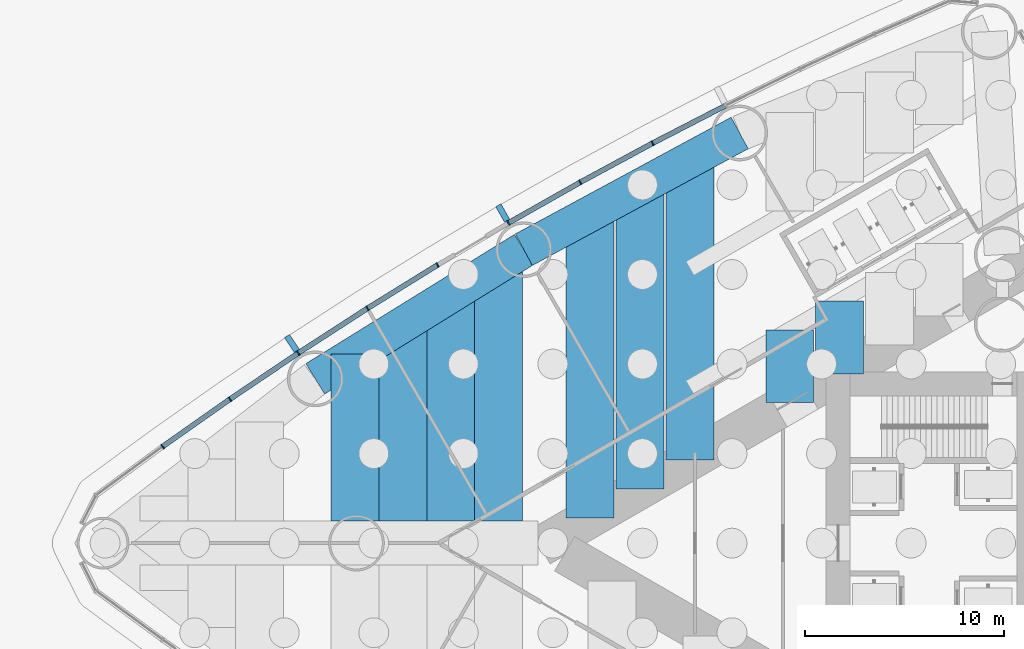
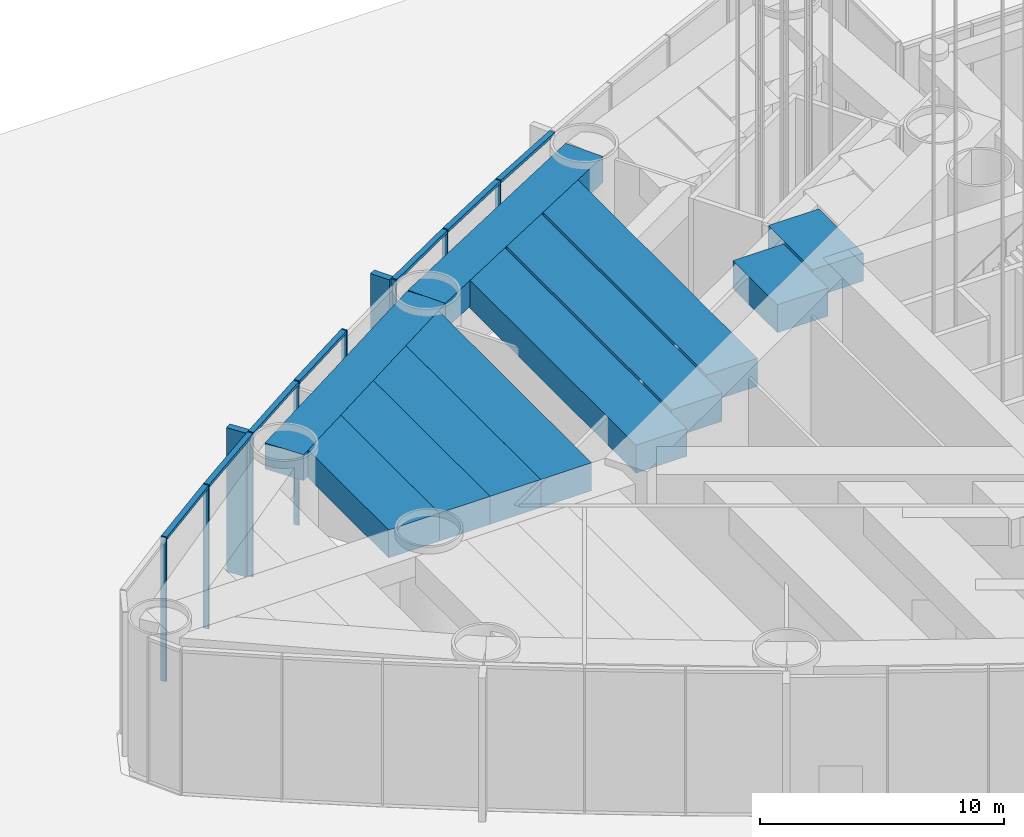
# One storey, part 9 of 43: 17 members, 11 beams, 2 elements without a shape of their own.
"""IFC4 building model written with IfcOpenShell, lengths in metres."""

from ifc_helpers import new_model, si_unit, direction, frame, origin, origin_2d, place, context, subcontext, project, spatial, rectangle, extrude, material, material_profile, profile_set, type_object, element, aggregate, save


model = new_model("IFC4")

# Units and contexts
model_context = context("Model", 3, precision=1e-05, world=origin(), true_north=direction((0.0, 1.0)))
body_context = subcontext(model_context, "Body", "Model", "MODEL_VIEW")
ifc_project = project(units=[si_unit("LENGTHUNIT", "METRE"), si_unit("AREAUNIT", "SQUARE_METRE"), si_unit("VOLUMEUNIT", "CUBIC_METRE"), si_unit("PLANEANGLEUNIT", "RADIAN"), si_unit("MASSUNIT", "GRAM", prefix="KILO")], contexts=[model_context])

# Site, building, storey
site_placement = place(None, origin())
site = spatial("IfcSite", under=ifc_project, at=site_placement, CompositionType="ELEMENT")
building_placement = place(site_placement, origin())
building = spatial("IfcBuilding", under=site, at=building_placement, Name="Lancet Gate Hotel", CompositionType="ELEMENT")
storey_placement = place(building_placement, origin())
storey = spatial("IfcBuildingStorey", under=building, at=storey_placement, Name="L00", CompositionType="ELEMENT", Elevation=0.0)

# Curtain wall, members
ifc_material_1 = material(Name="Aluminium curtain wall", Category="aluminium")
curtain_wall_type = type_object("IfcCurtainWallType", Name="Podium curtain wall", PredefinedType="USERDEFINED", material=ifc_material_1)
curtain_wall_1_placement = place(storey_placement, origin())
curtain_wall_1 = element("IfcCurtainWall", 1, at=curtain_wall_1_placement, inside=storey, type_object=curtain_wall_type, Name="T1 L00 curtain wall 2", ObjectType="UNITISED CURTAIN WALL", PredefinedType="USERDEFINED")
ifc_material_2 = material(Name="Aluminium mullion", Category="aluminium")
ifc_material_profile_1 = material_profile(ifc_material_2, rectangle(XDim=0.06494140625, YDim=0.25, at=origin_2d()), Name="MULLION 65x250")
ifc_profile_set_1 = profile_set([ifc_material_profile_1], Name="Aluminium mullion")
member_type_1 = type_object("IfcMemberType", Name="Aluminium mullion 65x250", PredefinedType="MULLION", material=ifc_profile_set_1)
member_1_placement = place(storey_placement, frame((-46.6220703125, 20.094970703125, 0.0), z_axis=(0.0, 0.0, 1.0), x_axis=(-0.884311132302, -0.466898084475, 0.0)))
member_1 = element("IfcMember", 2, at=member_1_placement, type_object=member_type_1, Name="T1 L00 curtain wall 2 mullion 6", PredefinedType="MULLION", context=body_context, shape_type="SweptSolid", body=[
    extrude(rectangle(XDim=0.06494140625, YDim=0.25, at=origin_2d()), origin(), (0.0, 0.0, 1.0), 7.199951171875),
])
member_2_placement = place(storey_placement, frame((-50.26416015625, 18.1259765625, 0.0), z_axis=(0.0, 0.0, 1.0), x_axis=(-0.874991035403, -0.484139120464, 0.0)))
member_2 = element("IfcMember", 3, at=member_2_placement, type_object=member_type_1, Name="T1 L00 curtain wall 2 mullion 7", PredefinedType="MULLION", context=body_context, shape_type="SweptSolid", body=[
    extrude(rectangle(XDim=0.06494140625, YDim=0.25, at=origin_2d()), origin(), (0.0, 0.0, 1.0), 7.199951171875),
])
member_3_placement = place(storey_placement, frame((-53.866943359375, 16.086181640625, 0.0), z_axis=(0.0, 0.0, 1.0), x_axis=(-0.870204720871, -0.492690312238, 0.0)))
member_3 = element("IfcMember", 4, at=member_3_placement, type_object=member_type_1, Name="T1 L00 curtain wall 2 mullion 8", PredefinedType="MULLION", context=body_context, shape_type="SweptSolid", body=[
    extrude(rectangle(XDim=0.06494140625, YDim=0.25, at=origin_2d()), origin(), (0.0, 0.0, 1.0), 7.199951171875),
])

curtain_wall_2_placement = place(storey_placement, origin())
curtain_wall_2 = element("IfcCurtainWall", 5, at=curtain_wall_2_placement, inside=storey, type_object=curtain_wall_type, Name="T1 L00 curtain wall 3", ObjectType="UNITISED CURTAIN WALL", PredefinedType="USERDEFINED")
member_4_placement = place(storey_placement, frame((-57.42919921875, 13.97607421875, 0.0), z_axis=(0.0, 0.0, 1.0), x_axis=(-0.850228506958, -0.52641379727, 0.0)))
member_4 = element("IfcMember", 6, at=member_4_placement, type_object=member_type_1, Name="T1 L00 curtain wall 3 mullion 1", PredefinedType="MULLION", context=body_context, shape_type="SweptSolid", body=[
    extrude(rectangle(XDim=0.06494140625, YDim=0.25, at=origin_2d()), origin(), (0.0, 0.0, 1.0), 7.199951171875),
])
member_5_placement = place(storey_placement, frame((-60.949462890625, 11.796630859375, 0.0), z_axis=(0.0, 0.0, 1.0), x_axis=(-0.845029112489, -0.534720299827, 0.0)))
member_5 = element("IfcMember", 7, at=member_5_placement, type_object=member_type_1, Name="T1 L00 curtain wall 3 mullion 2", PredefinedType="MULLION", context=body_context, shape_type="SweptSolid", body=[
    extrude(rectangle(XDim=0.06494140625, YDim=0.25, at=origin_2d()), origin(), (0.0, 0.0, 1.0), 7.199951171875),
])
member_6_placement = place(storey_placement, frame((-64.42626953125, 9.548583984375, 0.0), z_axis=(0.0, 0.0, 1.0), x_axis=(-0.834387381945, -0.55117846189, 0.0)))
member_6 = element("IfcMember", 8, at=member_6_placement, type_object=member_type_1, Name="T1 L00 curtain wall 3 mullion 3", PredefinedType="MULLION", context=body_context, shape_type="SweptSolid", body=[
    extrude(rectangle(XDim=0.06494140625, YDim=0.25, at=origin_2d()), origin(), (0.0, 0.0, 1.0), 7.199951171875),
])
member_7_placement = place(storey_placement, frame((-67.858154296875, 7.232666015625, 0.0), z_axis=(0.0, 0.0, 1.0), x_axis=(-0.823425148573, -0.56742490666, 0.0)))
member_7 = element("IfcMember", 9, at=member_7_placement, type_object=member_type_1, Name="T1 L00 curtain wall 3 mullion 4", PredefinedType="MULLION", context=body_context, shape_type="SweptSolid", body=[
    extrude(rectangle(XDim=0.06494140625, YDim=0.25, at=origin_2d()), origin(), (0.0, 0.0, 1.0), 7.199951171875),
])
member_8_placement = place(storey_placement, frame((-71.244384765625, 4.85009765625, 0.0), z_axis=(0.0, 0.0, 1.0), x_axis=(-0.812146623168, -0.583453393578, 0.0)))
member_8 = element("IfcMember", 10, at=member_8_placement, type_object=member_type_1, Name="T1 L00 curtain wall 3 mullion 5", PredefinedType="MULLION", context=body_context, shape_type="SweptSolid", body=[
    extrude(rectangle(XDim=0.06494140625, YDim=0.25, at=origin_2d()), origin(), (0.0, 0.0, 1.0), 7.199951171875),
])

# Member
ifc_material_3 = material(Name="Aluminium transom", Category="aluminium")
ifc_material_profile_2 = material_profile(ifc_material_3, rectangle(XDim=0.25, YDim=0.14990234375, at=origin_2d()), Name="TRANSOM 250x150")
ifc_profile_set_2 = profile_set([ifc_material_profile_2], Name="Aluminium transom")
member_type_2 = type_object("IfcMemberType", Name="Aluminium transom 250x150", PredefinedType="USERDEFINED", material=ifc_profile_set_2)
member_9_placement = place(storey_placement, frame((-42.970703125, 21.97705078125, 7.125), z_axis=(-0.888859972399, -0.458178949175, 0.0), x_axis=(0.458178949175, -0.888859972399, 0.0)))
member_9 = element("IfcMember", 11, at=member_9_placement, type_object=member_type_2, Name="T1 L00 curtain wall 2 transom 5", ObjectType="TRANSOM", PredefinedType="USERDEFINED", context=body_context, shape_type="SweptSolid", body=[
    extrude(rectangle(XDim=0.25, YDim=0.14990234375, at=origin_2d()), origin(), (0.0, 0.0, 1.0), 4.0751953125),
])

member_10_placement = place(storey_placement, frame((-46.650634765625, 20.079345703125, 7.125), z_axis=(-0.87971396408, -0.475503250675, 0.0), x_axis=(0.475503250675, -0.87971396408, 0.0)))
member_10 = element("IfcMember", 12, at=member_10_placement, type_object=member_type_2, Name="T1 L00 curtain wall 2 transom 6", ObjectType="TRANSOM", PredefinedType="USERDEFINED", context=body_context, shape_type="SweptSolid", body=[
    extrude(rectangle(XDim=0.25, YDim=0.14990234375, at=origin_2d()), origin(), (0.0, 0.0, 1.0), 4.0751953125),
])

member_11_placement = place(storey_placement, frame((-50.29248046875, 18.110107421875, 7.125), z_axis=(-0.870197729943, -0.492702659625, 0.0), x_axis=(0.492702659625, -0.870197729943, 0.0)))
member_11 = element("IfcMember", 13, at=member_11_placement, type_object=member_type_2, Name="T1 L00 curtain wall 2 transom 7", ObjectType="TRANSOM", PredefinedType="USERDEFINED", context=body_context, shape_type="SweptSolid", body=[
    extrude(rectangle(XDim=0.25, YDim=0.14990234375, at=origin_2d()), origin(), (0.0, 0.0, 1.0), 4.0751953125),
])

member_12_placement = place(storey_placement, frame((-57.456787109375, 13.958984375, 7.125), z_axis=(-0.850242165643, -0.526391736032, 0.0), x_axis=(0.526391736032, -0.850242165643, 0.0)))
member_12 = element("IfcMember", 14, at=member_12_placement, type_object=member_type_2, Name="T1 L00 curtain wall 3 transom 1", ObjectType="TRANSOM", PredefinedType="USERDEFINED", context=body_context, shape_type="SweptSolid", body=[
    extrude(rectangle(XDim=0.25, YDim=0.14990234375, at=origin_2d()), origin(), (0.0, 0.0, 1.0), 4.075439453125),
])

member_13_placement = place(storey_placement, frame((-60.976806640625, 11.779052734375, 7.125), z_axis=(-0.839729242404, -0.543005340169, 0.0), x_axis=(0.543005340169, -0.839729242404, 0.0)))
member_13 = element("IfcMember", 15, at=member_13_placement, type_object=member_type_2, Name="T1 L00 curtain wall 3 transom 2", ObjectType="TRANSOM", PredefinedType="USERDEFINED", context=body_context, shape_type="SweptSolid", body=[
    extrude(rectangle(XDim=0.25, YDim=0.14990234375, at=origin_2d()), origin(), (0.0, 0.0, 1.0), 4.0751953125),
])

member_14_placement = place(storey_placement, frame((-64.453125, 9.5302734375, 7.125), z_axis=(-0.828959086782, -0.559309245804, 0.0), x_axis=(0.559309245804, -0.828959086782, 0.0)))
member_14 = element("IfcMember", 16, at=member_14_placement, type_object=member_type_2, Name="T1 L00 curtain wall 3 transom 3", ObjectType="TRANSOM", PredefinedType="USERDEFINED", context=body_context, shape_type="SweptSolid", body=[
    extrude(rectangle(XDim=0.25, YDim=0.14990234375, at=origin_2d()), origin(), (0.0, 0.0, 1.0), 4.0751953125),
])

member_15_placement = place(storey_placement, frame((-67.884765625, 7.214111328125, 7.125), z_axis=(-0.817833568345, -0.57545482402, 0.0), x_axis=(0.57545482402, -0.817833568345, 0.0)))
member_15 = element("IfcMember", 17, at=member_15_placement, type_object=member_type_2, Name="T1 L00 curtain wall 3 transom 4", ObjectType="TRANSOM", PredefinedType="USERDEFINED", context=body_context, shape_type="SweptSolid", body=[
    extrude(rectangle(XDim=0.25, YDim=0.14990234375, at=origin_2d()), origin(), (0.0, 0.0, 1.0), 4.075439453125),
])

# Beams
ifc_material_4 = material(Name="Concrete C50/60", Category="concrete")
ifc_material_profile_3 = material_profile(ifc_material_4, rectangle(XDim=1.800048828125, YDim=1.300048828125, at=origin_2d()), Name="RC 1800x1300")
ifc_profile_set_3 = profile_set([ifc_material_profile_3], Name="Concrete C50/60")
beam_type_1 = type_object("IfcBeamType", Name="Edge beam RC 1800x1300", PredefinedType="SPANDREL", material=ifc_profile_set_3)
for number, where, z_axis, x_axis, name in (
    (18, (-42.2451171875, 20.607421875, 6.199951171875), (-0.879692855603, -0.475542300749, 0.0), (0.475542300749, -0.879692855603, 0.0), "T1 edge beam EB1 L00"),
    (19, (-53.090087890625, 14.744873046875, 6.199951171875), (-0.850225894333, -0.526418016984, 0.0), (0.526418016984, -0.850225894333, 0.0), "T1 edge beam EB1 L00"),
):
    element("IfcBeam", number, at=place(storey_placement, frame(where, z_axis=z_axis, x_axis=x_axis)), inside=storey, type_object=beam_type_1, Name=name, PredefinedType="SPANDREL", context=body_context, shape_type="SweptSolid", body=[
        extrude(rectangle(XDim=1.800048828125, YDim=1.300048828125, at=origin_2d()), origin(), (0.0, 0.0, 1.0), 12.328125),
    ])

# Member
ifc_material_5 = material(Name="Precast concrete C50/60", Category="concrete")
ifc_material_profile_4 = material_profile(ifc_material_5, rectangle(XDim=0.300048828125, YDim=0.89990234375, at=origin_2d()), Name="FIN 300x900")
ifc_profile_set_4 = profile_set([ifc_material_profile_4], Name="Precast concrete C50/60")
member_type_3 = type_object("IfcMemberType", Name="Exposed concrete fin 300x900", PredefinedType="USERDEFINED", material=ifc_profile_set_4)
member_16_placement = place(storey_placement, frame((-54.150390625, 16.58642578125, 0.0), z_axis=(0.0, 0.0, 1.0), x_axis=(-0.870204720871, -0.492690312238, 0.0)))
member_16 = element("IfcMember", 20, at=member_16_placement, type_object=member_type_3, Name="T1 L00 curtain wall 2 fin 8", ObjectType="FIN", PredefinedType="USERDEFINED", context=body_context, shape_type="SweptSolid", body=[
    extrude(rectangle(XDim=0.300048828125, YDim=0.89990234375, at=origin_2d()), origin(), (0.0, 0.0, 1.0), 7.199951171875),
])

aggregate(curtain_wall_1, [member_1, member_2, member_3, member_16, member_9, member_10, member_11])

member_17_placement = place(storey_placement, frame((-64.7431640625, 10.0283203125, 0.0), z_axis=(0.0, 0.0, 1.0), x_axis=(-0.834387381945, -0.55117846189, 0.0)))
member_17 = element("IfcMember", 21, at=member_17_placement, type_object=member_type_3, Name="T1 L00 curtain wall 3 fin 3", ObjectType="FIN", PredefinedType="USERDEFINED", context=body_context, shape_type="SweptSolid", body=[
    extrude(rectangle(XDim=0.300048828125, YDim=0.89990234375, at=origin_2d()), origin(), (0.0, 0.0, 1.0), 7.199951171875),
])

aggregate(curtain_wall_2, [member_4, member_5, member_6, member_17, member_7, member_8, member_12, member_13, member_14, member_15])

# Beams
ifc_material_6 = material(Name="Concrete C50/60", Category="concrete")
ifc_material_profile_5 = material_profile(ifc_material_6, rectangle(XDim=2.39990234375, YDim=1.39990234375, at=origin_2d()), Name="RC 2400x1400")
ifc_profile_set_5 = profile_set([ifc_material_profile_5], Name="Concrete C50/60")
beam_type_2 = type_object("IfcBeamType", Name="Floor beam RC 2400x1400", PredefinedType="BEAM", material=ifc_profile_set_5)
beam_1_placement = place(storey_placement, frame((-44.747802734375, 19.254638671875, 6.14990234375), z_axis=(0.0, -1.0, 0.0), x_axis=(1.0, 0.0, 0.0)))
element("IfcBeam", 22, at=beam_1_placement, inside=storey, type_object=beam_type_2, Name="T1 floor beam F09S L00", PredefinedType="BEAM", context=body_context, shape_type="SweptSolid", body=[
    extrude(rectangle(XDim=2.39990234375, YDim=1.39990234375, at=origin_2d()), origin(), (0.0, 0.0, 1.0), 15.0859375),
])
beam_2_placement = place(storey_placement, frame((-47.254638671875, 17.8994140625, 6.14990234375), z_axis=(0.0, -1.0, 0.0), x_axis=(1.0, 0.0, 0.0)))
element("IfcBeam", 23, at=beam_2_placement, inside=storey, type_object=beam_type_2, Name="T1 floor beam F10S L00", PredefinedType="BEAM", context=body_context, shape_type="SweptSolid", body=[
    extrude(rectangle(XDim=2.39990234375, YDim=1.39990234375, at=origin_2d()), origin(), (0.0, 0.0, 1.0), 15.177978515625),
])
beam_3_placement = place(storey_placement, frame((-49.761474609375, 16.54443359375, 6.14990234375), z_axis=(0.0, -1.0, 0.0), x_axis=(1.0, 0.0, 0.0)))
element("IfcBeam", 24, at=beam_3_placement, inside=storey, type_object=beam_type_2, Name="T1 floor beam F12S L00", PredefinedType="BEAM", context=body_context, shape_type="SweptSolid", body=[
    extrude(rectangle(XDim=2.39990234375, YDim=1.39990234375, at=origin_2d()), origin(), (0.0, 0.0, 1.0), 15.270263671875),
])
beam_4_placement = place(storey_placement, frame((-54.3681640625, 13.95361328125, 6.14990234375), z_axis=(0.0, -1.0, 0.0), x_axis=(1.0, 0.0, 0.0)))
element("IfcBeam", 25, at=beam_4_placement, inside=storey, type_object=beam_type_2, Name="T1 floor beam F13S L00", PredefinedType="BEAM", context=body_context, shape_type="SweptSolid", body=[
    extrude(rectangle(XDim=2.39990234375, YDim=1.39990234375, at=origin_2d()), origin(), (0.0, 0.0, 1.0), 12.853515625),
])
beam_5_placement = place(storey_placement, frame((-56.768310546875, 12.467529296875, 6.14990234375), z_axis=(0.0, -1.0, 0.0), x_axis=(1.0, 0.0, 0.0)))
element("IfcBeam", 26, at=beam_5_placement, inside=storey, type_object=beam_type_2, Name="T1 floor beam F15S L00", PredefinedType="BEAM", context=body_context, shape_type="SweptSolid", body=[
    extrude(rectangle(XDim=2.39990234375, YDim=1.39990234375, at=origin_2d()), origin(), (0.0, 0.0, 1.0), 11.367431640625),
])
beam_6_placement = place(storey_placement, frame((-59.168212890625, 10.981689453125, 6.14990234375), z_axis=(0.0, -1.0, 0.0), x_axis=(1.0, 0.0, 0.0)))
element("IfcBeam", 27, at=beam_6_placement, inside=storey, type_object=beam_type_2, Name="T1 floor beam F17S L00", PredefinedType="BEAM", context=body_context, shape_type="SweptSolid", body=[
    extrude(rectangle(XDim=2.39990234375, YDim=1.39990234375, at=origin_2d()), origin(), (0.0, 0.0, 1.0), 9.881591796875),
])
beam_7_placement = place(storey_placement, frame((-61.568359375, 9.495849609375, 6.14990234375), z_axis=(0.0, -1.0, 0.0), x_axis=(1.0, 0.0, 0.0)))
element("IfcBeam", 28, at=beam_7_placement, inside=storey, type_object=beam_type_2, Name="T1 floor beam F19S L00", PredefinedType="BEAM", context=body_context, shape_type="SweptSolid", body=[
    extrude(rectangle(XDim=2.39990234375, YDim=1.39990234375, at=origin_2d()), origin(), (0.0, 0.0, 1.0), 8.395751953125),
])
beam_8_placement = place(storey_placement, frame((-37.227294921875, 12.15625, 6.14990234375), z_axis=(0.0, -1.0, 0.0), x_axis=(1.0, 0.0, 0.0)))
element("IfcBeam", 29, at=beam_8_placement, inside=storey, type_object=beam_type_2, Name="T1 floor beam F05SB L00", PredefinedType="BEAM", context=body_context, shape_type="SweptSolid", body=[
    extrude(rectangle(XDim=2.39990234375, YDim=1.39990234375, at=origin_2d()), origin(), (0.0, 0.0, 1.0), 3.6455078125),
])
beam_9_placement = place(storey_placement, frame((-39.734130859375, 10.708740234375, 6.14990234375), z_axis=(0.0, -1.0, 0.0), x_axis=(1.0, 0.0, 0.0)))
element("IfcBeam", 30, at=beam_9_placement, inside=storey, type_object=beam_type_2, Name="T1 floor beam F07SB L00", PredefinedType="BEAM", context=body_context, shape_type="SweptSolid", body=[
    extrude(rectangle(XDim=2.39990234375, YDim=1.39990234375, at=origin_2d()), origin(), (0.0, 0.0, 1.0), 3.645263671875),
])

save(model, "model.ifc")
